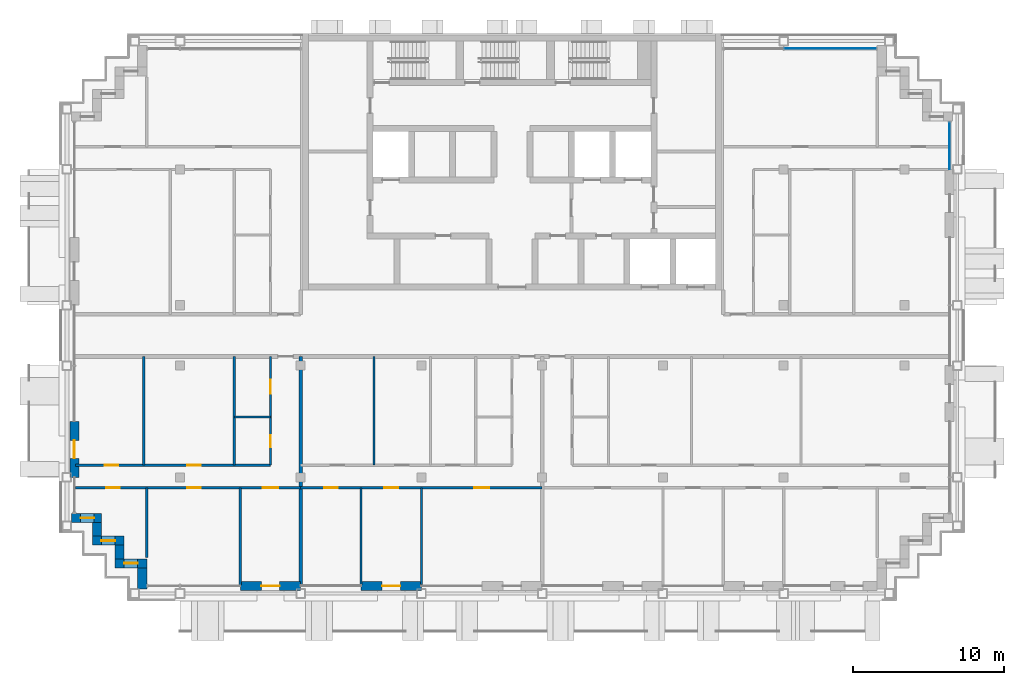
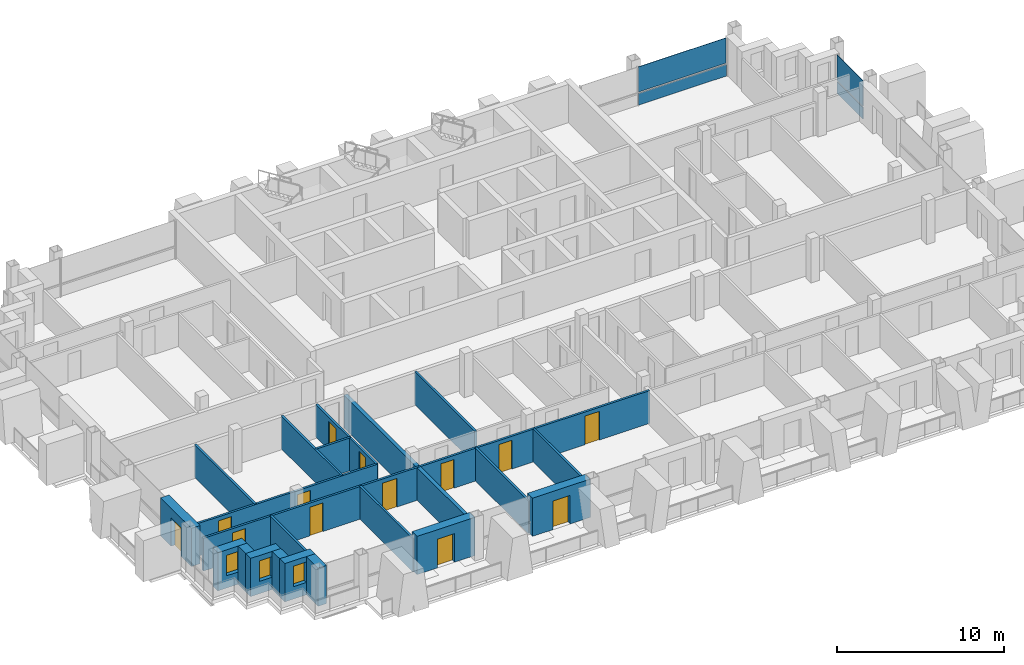
# One storey, part 7 of 15: 22 walls, 13 doors, 4 plates, 3 windows, 16 openings, 2 elements without a shape of their own.
"""IFC4 building model written with IfcOpenShell, lengths in metres."""

from ifc_helpers import new_model, si_unit, direction, frame, frame_2d, origin, origin_2d, place, context, subcontext, project, spatial, rectangle, extrude, material, layer, layer_set, type_object, element, fill, aggregate, save


model = new_model("IFC4")

# Units and contexts
model_context = context("Model", 3, precision=1e-05, world=origin(), true_north=direction((0.0, 1.0)))
body_context = subcontext(model_context, "Body", "Model", "MODEL_VIEW")
ifc_project = project(units=[si_unit("LENGTHUNIT", "METRE"), si_unit("AREAUNIT", "SQUARE_METRE"), si_unit("VOLUMEUNIT", "CUBIC_METRE"), si_unit("PLANEANGLEUNIT", "RADIAN"), si_unit("MASSUNIT", "GRAM", prefix="KILO")], contexts=[model_context])

# Site, building, storey
site_placement = place(None, origin())
site = spatial("IfcSite", under=ifc_project, at=site_placement, CompositionType="ELEMENT")
building_placement = place(site_placement, origin())
building = spatial("IfcBuilding", under=site, at=building_placement, Name="Vidyagriha Tower", CompositionType="ELEMENT")
storey_placement = place(building_placement, frame((0.0, 0.0, 236.39990234375)))
storey = spatial("IfcBuildingStorey", under=building, at=storey_placement, Name="L62", CompositionType="ELEMENT", Elevation=236.39990234375)

# Curtain wall, plate
ifc_material_1 = material(Name="Aluminium and glass curtain wall", Category="aluminium")
curtain_wall_type = type_object("IfcCurtainWallType", Name="Dwelling skin unitised curtain wall", PredefinedType="USERDEFINED", material=ifc_material_1)
curtain_wall_1_placement = place(storey_placement, origin())
curtain_wall_1 = element("IfcCurtainWall", 1, at=curtain_wall_1_placement, inside=storey, type_object=curtain_wall_type, Name="CW1 dwelling skin", ObjectType="UNITISED", PredefinedType="USERDEFINED")
ifc_material_2 = material(Name="Glass dark ceramic-fritted spandrel", Category="glass")
ifc_layer_1 = layer(ifc_material_2, 0.0400390625)
ifc_layer_set_1 = layer_set([ifc_layer_1], Name="Glass dark ceramic-fritted spandrel")
plate_type_1 = type_object("IfcPlateType", Name="Ceramic-fritted spandrel panel", PredefinedType="CURTAIN_PANEL", material=ifc_layer_set_1)
plate_1_placement = place(storey_placement, frame((21.08251953125, 19.0, 0.0), z_axis=(0.0, 0.0, 1.0), x_axis=(-1.0, 0.0, 0.0)))
plate_1 = element("IfcPlate", 2, at=plate_1_placement, type_object=plate_type_1, Name="CW1 panel 1.1", PredefinedType="CURTAIN_PANEL", context=body_context, shape_type="SweptSolid", body=[
    extrude(rectangle(XDim=6.094970703125, YDim=0.0400390625, at=origin_2d()), origin(), (0.0, 0.0, 1.0), 0.85009765625),
])

curtain_wall_2_placement = place(storey_placement, origin())
curtain_wall_2 = element("IfcCurtainWall", 3, at=curtain_wall_2_placement, inside=storey, type_object=curtain_wall_type, Name="CW1 dwelling skin", ObjectType="UNITISED", PredefinedType="USERDEFINED")
plate_2_placement = place(storey_placement, frame((29.0, 12.56494140625, 0.0), z_axis=(0.0, 0.0, 1.0), x_axis=(0.0, 1.0, 0.0)))
plate_2 = element("IfcPlate", 4, at=plate_2_placement, type_object=plate_type_1, Name="CW1 panel 1.1", PredefinedType="CURTAIN_PANEL", context=body_context, shape_type="SweptSolid", body=[
    extrude(rectangle(XDim=3.1298828125, YDim=0.0400390625, at=origin_2d()), origin(), (0.0, 0.0, 1.0), 0.85009765625),
])

# Plate
ifc_material_3 = material(Name="Glass dark ceramic-fritted", Category="glass")
ifc_layer_2 = layer(ifc_material_3, 0.028076171875)
ifc_layer_set_2 = layer_set([ifc_layer_2], Name="Glass dark ceramic-fritted")
plate_type_2 = type_object("IfcPlateType", Name="Dark ceramic-fritted vision glass panel", PredefinedType="CURTAIN_PANEL", material=ifc_layer_set_2)
plate_3_placement = place(storey_placement, frame((21.08251953125, 19.0, 0.949951171875), z_axis=(0.0, 0.0, 1.0), x_axis=(-1.0, 0.0, 0.0)))
plate_3 = element("IfcPlate", 5, at=plate_3_placement, type_object=plate_type_2, Name="CW1 panel 1.2", PredefinedType="CURTAIN_PANEL", context=body_context, shape_type="SweptSolid", body=[
    extrude(rectangle(XDim=6.094970703125, YDim=0.028076171875, at=origin_2d()), origin(), (0.0, 0.0, 1.0), 1.85009765625),
])

aggregate(curtain_wall_1, [plate_1, plate_3])

plate_4_placement = place(storey_placement, frame((29.0, 12.56494140625, 0.949951171875), z_axis=(0.0, 0.0, 1.0), x_axis=(0.0, 1.0, 0.0)))
plate_4 = element("IfcPlate", 6, at=plate_4_placement, type_object=plate_type_2, Name="CW1 panel 1.2", PredefinedType="CURTAIN_PANEL", context=body_context, shape_type="SweptSolid", body=[
    extrude(rectangle(XDim=3.1298828125, YDim=0.028076171875, at=origin_2d()), origin(), (0.0, 0.0, 1.0), 1.85009765625),
])

aggregate(curtain_wall_2, [plate_2, plate_4])

# Wall, opening, door
ifc_material_4 = material(Name="Precast concrete C40/50 with brick facing", Category="concrete")
ifc_layer_3 = layer(ifc_material_4, 0.60009765625)
ifc_layer_set_3 = layer_set([ifc_layer_3], Name="Precast concrete C40/50 with brick facing")
wall_type_1 = type_object("IfcWallType", Name="Brick-faced precast wall 600", PredefinedType="STANDARD", material=ifc_layer_set_3)
wall_1_placement = place(storey_placement, frame((-29.0, -5.699951171875, 0.0), z_axis=(0.0, 0.0, 1.0), x_axis=(0.0, -1.0, 0.0)))
wall_1 = element("IfcWall", 7, at=wall_1_placement, inside=storey, type_object=wall_type_1, Name="Brick door bay wall L62 R16.6", PredefinedType="STANDARD", context=body_context, shape_type="SweptSolid", body=[
    extrude(rectangle(XDim=3.699951171875, YDim=0.60009765625, at=frame_2d((1.85009765625, 0.0))), origin(), (0.0, 0.0, 1.0), 2.800048828125),
])
opening_1_placement = place(wall_1_placement, frame((1.25, 0.0, 0.0)))
opening_1 = element("IfcOpeningElement", 8, at=opening_1_placement, cuts=wall_1, Name="Opening D62-57", PredefinedType="OPENING", context=body_context, shape_type="SweptSolid", body=[
    extrude(rectangle(XDim=1.199951171875, YDim=2.10009765625, at=frame_2d((0.60009765625, 1.050048828125))), frame((0.0, 0.31005859375, 0.0), z_axis=(0.0, -1.0, 0.0), x_axis=(1.0, 0.0, 0.0)), (0.0, 0.0, 1.0), 0.6201171875),
])
ifc_material_5 = material(Name="Aluminium framed glazed sliding door", Category="aluminium")
door_type_1 = type_object("IfcDoorType", Name="Balcony sliding door 1200x2100", OperationType="NOTDEFINED", PredefinedType="DOOR", material=ifc_material_5)
door_1_placement = place(opening_1_placement, origin())
door_1 = element("IfcDoor", 9, at=door_1_placement, inside=storey, type_object=door_type_1, Name="Door D62-57", OperationType="SLIDING_TO_LEFT", OverallHeight=2.10009765625, OverallWidth=1.199951171875, PredefinedType="DOOR", context=body_context, shape_type="SweptSolid", body=[
    extrude(rectangle(XDim=1.199951171875, YDim=2.10009765625, at=frame_2d((0.60009765625, 1.050048828125))), frame((0.0, 0.02490234375, 0.0), z_axis=(0.0, -1.0, 0.0), x_axis=(1.0, 0.0, 0.0)), (0.0, 0.0, 1.0), 0.050048828125),
])
fill(opening_1, door_1)

# Wall, opening, window
wall_2_placement = place(storey_placement, frame((-29.199951171875, -12.10009765625, 0.0)))
wall_2 = element("IfcWall", 10, at=wall_2_placement, inside=storey, type_object=wall_type_1, Name="Stepped corner wall L62 R17", PredefinedType="STANDARD", context=body_context, shape_type="SweptSolid", body=[
    extrude(rectangle(XDim=2.0, YDim=0.60009765625, at=frame_2d((1.0, 0.0))), origin(), (0.0, 0.0, 1.0), 2.800048828125),
])
opening_2_placement = place(wall_2_placement, frame((0.610107421875, 0.0, 0.89990234375)))
opening_2 = element("IfcOpeningElement", 11, at=opening_2_placement, cuts=wall_2, Name="Opening WN1", PredefinedType="OPENING", context=body_context, shape_type="SweptSolid", body=[
    extrude(rectangle(XDim=0.89990234375, YDim=1.5, at=frame_2d((0.449951171875, 0.75))), frame((0.0, 0.31005859375, 0.0), z_axis=(0.0, -1.0, 0.0), x_axis=(1.0, 0.0, 0.0)), (0.0, 0.0, 1.0), 0.6201171875),
])
ifc_material_6 = material(Name="Aluminium and glass window", Category="aluminium")
window_type = type_object("IfcWindowType", Name="Reveal window 900x1500", PartitioningType="NOTDEFINED", PredefinedType="WINDOW", material=ifc_material_6)
window_1_placement = place(opening_2_placement, origin())
window_1 = element("IfcWindow", 12, at=window_1_placement, inside=storey, type_object=window_type, Name="Reveal window L62 R17", OverallHeight=1.5, OverallWidth=0.89990234375, PartitioningType="SINGLE_PANEL", PredefinedType="WINDOW", context=body_context, shape_type="SweptSolid", body=[
    extrude(rectangle(XDim=0.89990234375, YDim=1.5, at=frame_2d((0.449951171875, 0.75))), frame((0.0, 0.030029296875, 0.0), z_axis=(0.0, -1.0, 0.0), x_axis=(1.0, 0.0, 0.0)), (0.0, 0.0, 1.0), 0.06005859375),
])
fill(opening_2, window_1)

# Wall
wall_3_placement = place(storey_placement, frame((-27.5, -12.39990234375, 0.0), z_axis=(0.0, 0.0, 1.0), x_axis=(0.0, -1.0, 0.0)))
element("IfcWall", 13, at=wall_3_placement, inside=storey, type_object=wall_type_1, Name="Stepped corner wall L62 R18", PredefinedType="STANDARD", context=body_context, shape_type="SweptSolid", body=[
    extrude(rectangle(XDim=0.900146484375, YDim=0.60009765625, at=frame_2d((0.4501953125, 0.0))), origin(), (0.0, 0.0, 1.0), 2.800048828125),
])

# Wall, opening, window
wall_4_placement = place(storey_placement, frame((-27.800048828125, -13.60009765625, 0.0)))
wall_4 = element("IfcWall", 14, at=wall_4_placement, inside=storey, type_object=wall_type_1, Name="Stepped corner wall L62 R19", PredefinedType="STANDARD", context=body_context, shape_type="SweptSolid", body=[
    extrude(rectangle(XDim=2.10009765625, YDim=0.60009765625, at=frame_2d((1.050048828125, 0.0))), origin(), (0.0, 0.0, 1.0), 2.800048828125),
])
opening_3_placement = place(wall_4_placement, frame((0.60009765625, 0.0, 0.89990234375)))
opening_3 = element("IfcOpeningElement", 15, at=opening_3_placement, cuts=wall_4, Name="Opening WN1", PredefinedType="OPENING", context=body_context, shape_type="SweptSolid", body=[
    extrude(rectangle(XDim=0.89990234375, YDim=1.5, at=frame_2d((0.449951171875, 0.75))), frame((0.0, 0.31005859375, 0.0), z_axis=(0.0, -1.0, 0.0), x_axis=(1.0, 0.0, 0.0)), (0.0, 0.0, 1.0), 0.6201171875),
])
window_2_placement = place(opening_3_placement, origin())
window_2 = element("IfcWindow", 16, at=window_2_placement, inside=storey, type_object=window_type, Name="Reveal window L62 R19", OverallHeight=1.5, OverallWidth=0.89990234375, PartitioningType="SINGLE_PANEL", PredefinedType="WINDOW", context=body_context, shape_type="SweptSolid", body=[
    extrude(rectangle(XDim=0.89990234375, YDim=1.5, at=frame_2d((0.449951171875, 0.75))), frame((0.0, 0.030029296875, 0.0), z_axis=(0.0, -1.0, 0.0), x_axis=(1.0, 0.0, 0.0)), (0.0, 0.0, 1.0), 0.06005859375),
])
fill(opening_3, window_2)

# Wall
wall_5_placement = place(storey_placement, frame((-26.0, -13.89990234375, 0.0), z_axis=(0.0, 0.0, 1.0), x_axis=(0.0, -1.0, 0.0)))
element("IfcWall", 17, at=wall_5_placement, inside=storey, type_object=wall_type_1, Name="Stepped corner wall L62 R20", PredefinedType="STANDARD", context=body_context, shape_type="SweptSolid", body=[
    extrude(rectangle(XDim=0.900146484375, YDim=0.60009765625, at=frame_2d((0.4501953125, 0.0))), origin(), (0.0, 0.0, 1.0), 2.800048828125),
])

# Wall, opening, window
wall_6_placement = place(storey_placement, frame((-26.300048828125, -15.10009765625, 0.0)))
wall_6 = element("IfcWall", 18, at=wall_6_placement, inside=storey, type_object=wall_type_1, Name="Stepped corner wall L62 R21", PredefinedType="STANDARD", context=body_context, shape_type="SweptSolid", body=[
    extrude(rectangle(XDim=2.10009765625, YDim=0.60009765625, at=frame_2d((1.050048828125, 0.0))), origin(), (0.0, 0.0, 1.0), 2.800048828125),
])
opening_4_placement = place(wall_6_placement, frame((0.60009765625, 0.0, 0.89990234375)))
opening_4 = element("IfcOpeningElement", 19, at=opening_4_placement, cuts=wall_6, Name="Opening WN1", PredefinedType="OPENING", context=body_context, shape_type="SweptSolid", body=[
    extrude(rectangle(XDim=0.89990234375, YDim=1.5, at=frame_2d((0.449951171875, 0.75))), frame((0.0, 0.31005859375, 0.0), z_axis=(0.0, -1.0, 0.0), x_axis=(1.0, 0.0, 0.0)), (0.0, 0.0, 1.0), 0.6201171875),
])
window_3_placement = place(opening_4_placement, origin())
window_3 = element("IfcWindow", 20, at=window_3_placement, inside=storey, type_object=window_type, Name="Reveal window L62 R21", OverallHeight=1.5, OverallWidth=0.89990234375, PartitioningType="SINGLE_PANEL", PredefinedType="WINDOW", context=body_context, shape_type="SweptSolid", body=[
    extrude(rectangle(XDim=0.89990234375, YDim=1.5, at=frame_2d((0.449951171875, 0.75))), frame((0.0, 0.030029296875, 0.0), z_axis=(0.0, -1.0, 0.0), x_axis=(1.0, 0.0, 0.0)), (0.0, 0.0, 1.0), 0.06005859375),
])
fill(opening_4, window_3)

# Wall
wall_7_placement = place(storey_placement, frame((-24.5, -15.39990234375, 0.0), z_axis=(0.0, 0.0, 1.0), x_axis=(0.0, -1.0, 0.0)))
element("IfcWall", 21, at=wall_7_placement, inside=storey, type_object=wall_type_1, Name="Stepped corner wall L62 R22", PredefinedType="STANDARD", context=body_context, shape_type="SweptSolid", body=[
    extrude(rectangle(XDim=1.400146484375, YDim=0.60009765625, at=frame_2d((0.7001953125, 0.0))), origin(), (0.0, 0.0, 1.0), 2.800048828125),
])

# Wall, opening, door
wall_8_placement = place(storey_placement, frame((-18.0, -16.60009765625, 0.0)))
wall_8 = element("IfcWall", 22, at=wall_8_placement, inside=storey, type_object=wall_type_1, Name="Brick door bay wall L62 R23.3", PredefinedType="STANDARD", context=body_context, shape_type="SweptSolid", body=[
    extrude(rectangle(XDim=4.0, YDim=0.60009765625, at=frame_2d((2.0, 0.0))), origin(), (0.0, 0.0, 1.0), 2.800048828125),
])
opening_5_placement = place(wall_8_placement, frame((1.39990234375, 0.0, 0.0)))
opening_5 = element("IfcOpeningElement", 23, at=opening_5_placement, cuts=wall_8, Name="Opening D62-58", PredefinedType="OPENING", context=body_context, shape_type="SweptSolid", body=[
    extrude(rectangle(XDim=1.199951171875, YDim=2.10009765625, at=frame_2d((0.60009765625, 1.050048828125))), frame((0.0, 0.31005859375, 0.0), z_axis=(0.0, -1.0, 0.0), x_axis=(1.0, 0.0, 0.0)), (0.0, 0.0, 1.0), 0.6201171875),
])
door_2_placement = place(opening_5_placement, origin())
door_2 = element("IfcDoor", 24, at=door_2_placement, inside=storey, type_object=door_type_1, Name="Door D62-58", OperationType="SLIDING_TO_LEFT", OverallHeight=2.10009765625, OverallWidth=1.199951171875, PredefinedType="DOOR", context=body_context, shape_type="SweptSolid", body=[
    extrude(rectangle(XDim=1.199951171875, YDim=2.10009765625, at=frame_2d((0.60009765625, 1.050048828125))), frame((0.0, 0.02490234375, 0.0), z_axis=(0.0, -1.0, 0.0), x_axis=(1.0, 0.0, 0.0)), (0.0, 0.0, 1.0), 0.050048828125),
])
fill(opening_5, door_2)

wall_9_placement = place(storey_placement, frame((-10.0, -16.60009765625, 0.0)))
wall_9 = element("IfcWall", 25, at=wall_9_placement, inside=storey, type_object=wall_type_1, Name="Brick door bay wall L62 R23.5", PredefinedType="STANDARD", context=body_context, shape_type="SweptSolid", body=[
    extrude(rectangle(XDim=4.0, YDim=0.60009765625, at=frame_2d((2.0, 0.0))), origin(), (0.0, 0.0, 1.0), 2.800048828125),
])
opening_6_placement = place(wall_9_placement, frame((1.39990234375, 0.0, 0.0)))
opening_6 = element("IfcOpeningElement", 26, at=opening_6_placement, cuts=wall_9, Name="Opening D62-59", PredefinedType="OPENING", context=body_context, shape_type="SweptSolid", body=[
    extrude(rectangle(XDim=1.199951171875, YDim=2.10009765625, at=frame_2d((0.60009765625, 1.050048828125))), frame((0.0, 0.31005859375, 0.0), z_axis=(0.0, -1.0, 0.0), x_axis=(1.0, 0.0, 0.0)), (0.0, 0.0, 1.0), 0.6201171875),
])
door_3_placement = place(opening_6_placement, origin())
door_3 = element("IfcDoor", 27, at=door_3_placement, inside=storey, type_object=door_type_1, Name="Door D62-59", OperationType="SLIDING_TO_LEFT", OverallHeight=2.10009765625, OverallWidth=1.199951171875, PredefinedType="DOOR", context=body_context, shape_type="SweptSolid", body=[
    extrude(rectangle(XDim=1.199951171875, YDim=2.10009765625, at=frame_2d((0.60009765625, 1.050048828125))), frame((0.0, 0.02490234375, 0.0), z_axis=(0.0, -1.0, 0.0), x_axis=(1.0, 0.0, 0.0)), (0.0, 0.0, 1.0), 0.050048828125),
])
fill(opening_6, door_3)

# Walls
ifc_material_7 = material(Name="Fired clay brick masonry", Category="masonry")
ifc_layer_4 = layer(ifc_material_7, 0.25)
ifc_layer_set_4 = layer_set([ifc_layer_4], Name="Fired clay brick masonry")
wall_type_2 = type_object("IfcWallType", Name="Fired clay brick demising wall 250", PredefinedType="PARTITIONING", material=ifc_layer_set_4)
wall_10_placement = place(storey_placement, frame((-14.0, -1.39990234375, 0.0), z_axis=(0.0, 0.0, 1.0), x_axis=(0.0, -1.0, 0.0)))
element("IfcWall", 28, at=wall_10_placement, inside=storey, type_object=wall_type_2, Name="Wall all-L62-w035", PredefinedType="PARTITIONING", context=body_context, shape_type="SweptSolid", body=[
    extrude(rectangle(XDim=15.110107421875, YDim=0.25, at=frame_2d((7.55517578125, 0.0))), origin(), (0.0, 0.0, 1.0), 2.400146484375),
])
ifc_material_8 = material(Name="Gypsum board partition")
ifc_layer_5 = layer(ifc_material_8, 0.14990234375)
ifc_layer_set_5 = layer_set([ifc_layer_5], Name="Gypsum board partition")
wall_type_3 = type_object("IfcWallType", Name="Gypsum board partition 150", PredefinedType="PARTITIONING", material=ifc_layer_set_5)
wall_11_placement = place(storey_placement, frame((-16.0, -5.39990234375, 0.0), z_axis=(0.0, 0.0, 1.0), x_axis=(-1.0, 0.0, 0.0)))
element("IfcWall", 29, at=wall_11_placement, inside=storey, type_object=wall_type_3, Name="Wall all-L62-w004", PredefinedType="PARTITIONING", context=body_context, shape_type="SweptSolid", body=[
    extrude(rectangle(XDim=2.39990234375, YDim=0.14990234375, at=frame_2d((1.199951171875, 0.0))), origin(), (0.0, 0.0, 1.0), 2.400146484375),
])
for number, where, z_axis, x_axis, name in (
    (30, (-18.39990234375, -8.60009765625, 0.0), (0.0, 0.0, 1.0), (0.0, 1.0, 0.0), "Wall all-L62-w005"),
    (31, (-24.39990234375, -8.60009765625, 0.0), (0.0, 0.0, 1.0), (0.0, 1.0, 0.0), "Wall all-L62-w006"),
):
    element("IfcWall", number, at=place(storey_placement, frame(where, z_axis=z_axis, x_axis=x_axis)), inside=storey, type_object=wall_type_3, Name=name, PredefinedType="PARTITIONING", context=body_context, shape_type="SweptSolid", body=[
        extrude(rectangle(XDim=7.2001953125, YDim=0.14990234375, at=frame_2d((3.60009765625, 0.0))), origin(), (0.0, 0.0, 1.0), 2.400146484375),
    ])

# Wall, openings, doors
wall_12_placement = place(storey_placement, frame((-28.909912109375, -8.60009765625, 0.0)))
wall_12 = element("IfcWall", 32, at=wall_12_placement, inside=storey, type_object=wall_type_3, Name="Wall all-L62-w007", PredefinedType="PARTITIONING", context=body_context, shape_type="SweptSolid", body=[
    extrude(rectangle(XDim=12.909912109375, YDim=0.14990234375, at=frame_2d((6.455078125, 0.0))), origin(), (0.0, 0.0, 1.0), 2.400146484375),
])
opening_7_placement = place(wall_12_placement, frame((7.385986328125, 0.0, 0.0)))
opening_7 = element("IfcOpeningElement", 33, at=opening_7_placement, cuts=wall_12, Name="Opening D62-16", PredefinedType="OPENING", context=body_context, shape_type="SweptSolid", body=[
    extrude(rectangle(XDim=0.89990234375, YDim=2.10009765625, at=frame_2d((0.449951171875, 1.050048828125))), frame((0.0, 0.0849609375, 0.0), z_axis=(0.0, -1.0, 0.0), x_axis=(1.0, 0.0, 0.0)), (0.0, 0.0, 1.0), 0.169921875),
])
opening_8_placement = place(wall_12_placement, frame((1.909912109375, 0.0, 0.0)))
opening_8 = element("IfcOpeningElement", 34, at=opening_8_placement, cuts=wall_12, Name="Opening D62-17", PredefinedType="OPENING", context=body_context, shape_type="SweptSolid", body=[
    extrude(rectangle(XDim=0.89990234375, YDim=2.10009765625, at=frame_2d((0.449951171875, 1.050048828125))), frame((0.0, 0.0849609375, 0.0), z_axis=(0.0, -1.0, 0.0), x_axis=(1.0, 0.0, 0.0)), (0.0, 0.0, 1.0), 0.169921875),
])
ifc_material_9 = material(Name="Timber door leaf", Category="wood")
door_type_2 = type_object("IfcDoorType", Name="Room door 900x2100", OperationType="NOTDEFINED", PredefinedType="DOOR", material=ifc_material_9)
door_4_placement = place(opening_7_placement, origin())
door_4 = element("IfcDoor", 35, at=door_4_placement, inside=storey, type_object=door_type_2, Name="Door D62-16", OperationType="SINGLE_SWING_RIGHT", OverallHeight=2.10009765625, OverallWidth=0.89990234375, PredefinedType="DOOR", context=body_context, shape_type="SweptSolid", body=[
    extrude(rectangle(XDim=0.89990234375, YDim=2.10009765625, at=frame_2d((0.449951171875, 1.050048828125))), frame((0.0, 0.02490234375, 0.0), z_axis=(0.0, -1.0, 0.0), x_axis=(1.0, 0.0, 0.0)), (0.0, 0.0, 1.0), 0.050048828125),
])
fill(opening_7, door_4)
door_5_placement = place(opening_8_placement, origin())
door_5 = element("IfcDoor", 36, at=door_5_placement, inside=storey, type_object=door_type_2, Name="Door D62-17", OperationType="SINGLE_SWING_LEFT", OverallHeight=2.10009765625, OverallWidth=0.89990234375, PredefinedType="DOOR", context=body_context, shape_type="SweptSolid", body=[
    extrude(rectangle(XDim=0.89990234375, YDim=2.10009765625, at=frame_2d((0.449951171875, 1.050048828125))), frame((0.0, 0.02490234375, 0.0), z_axis=(0.0, -1.0, 0.0), x_axis=(1.0, 0.0, 0.0)), (0.0, 0.0, 1.0), 0.050048828125),
])
fill(opening_8, door_5)

wall_13_placement = place(storey_placement, frame((-14.0, -10.10009765625, 0.0), z_axis=(0.0, 0.0, 1.0), x_axis=(-1.0, 0.0, 0.0)))
wall_13 = element("IfcWall", 37, at=wall_13_placement, inside=storey, type_object=wall_type_3, Name="Wall all-L62-w010", PredefinedType="PARTITIONING", context=body_context, shape_type="SweptSolid", body=[
    extrude(rectangle(XDim=14.919921875, YDim=0.14990234375, at=frame_2d((7.4599609375, 0.0))), origin(), (0.0, 0.0, 1.0), 2.400146484375),
])
opening_9_placement = place(wall_13_placement, frame((12.0, 0.0, 0.0)))
opening_9 = element("IfcOpeningElement", 38, at=opening_9_placement, cuts=wall_13, Name="Opening D62-18", PredefinedType="OPENING", context=body_context, shape_type="SweptSolid", body=[
    extrude(rectangle(XDim=0.89990234375, YDim=2.10009765625, at=frame_2d((0.449951171875, 1.050048828125))), frame((0.0, 0.0849609375, 0.0), z_axis=(0.0, -1.0, 0.0), x_axis=(1.0, 0.0, 0.0)), (0.0, 0.0, 1.0), 0.169921875),
])
opening_10_placement = place(wall_13_placement, frame((6.6240234375, 0.0, 0.0)))
opening_10 = element("IfcOpeningElement", 39, at=opening_10_placement, cuts=wall_13, Name="Opening D62-19", PredefinedType="OPENING", context=body_context, shape_type="SweptSolid", body=[
    extrude(rectangle(XDim=0.89990234375, YDim=2.10009765625, at=frame_2d((0.449951171875, 1.050048828125))), frame((0.0, 0.0849609375, 0.0), z_axis=(0.0, -1.0, 0.0), x_axis=(1.0, 0.0, 0.0)), (0.0, 0.0, 1.0), 0.169921875),
])
opening_11_placement = place(wall_13_placement, frame((1.5, 0.0, 0.0)))
opening_11 = element("IfcOpeningElement", 40, at=opening_11_placement, cuts=wall_13, Name="Opening D62-20", PredefinedType="OPENING", context=body_context, shape_type="SweptSolid", body=[
    extrude(rectangle(XDim=1.0, YDim=2.10009765625, at=frame_2d((0.5, 1.050048828125))), frame((0.0, 0.0849609375, 0.0), z_axis=(0.0, -1.0, 0.0), x_axis=(1.0, 0.0, 0.0)), (0.0, 0.0, 1.0), 0.169921875),
])
ifc_material_10 = material(Name="Timber door leaf", Category="wood")
door_type_3 = type_object("IfcDoorType", Name="Room door 1000x2100", OperationType="NOTDEFINED", PredefinedType="DOOR", material=ifc_material_10)
door_6_placement = place(opening_11_placement, origin())
door_6 = element("IfcDoor", 41, at=door_6_placement, inside=storey, type_object=door_type_3, Name="Door D62-20", OperationType="SINGLE_SWING_RIGHT", OverallHeight=2.10009765625, OverallWidth=1.0, PredefinedType="DOOR", context=body_context, shape_type="SweptSolid", body=[
    extrude(rectangle(XDim=1.0, YDim=2.10009765625, at=frame_2d((0.5, 1.050048828125))), frame((0.0, 0.02490234375, 0.0), z_axis=(0.0, -1.0, 0.0), x_axis=(1.0, 0.0, 0.0)), (0.0, 0.0, 1.0), 0.050048828125),
])
fill(opening_11, door_6)
door_7_placement = place(opening_9_placement, origin())
door_7 = element("IfcDoor", 42, at=door_7_placement, inside=storey, type_object=door_type_2, Name="Door D62-18", OperationType="SINGLE_SWING_RIGHT", OverallHeight=2.10009765625, OverallWidth=0.89990234375, PredefinedType="DOOR", context=body_context, shape_type="SweptSolid", body=[
    extrude(rectangle(XDim=0.89990234375, YDim=2.10009765625, at=frame_2d((0.449951171875, 1.050048828125))), frame((0.0, 0.02490234375, 0.0), z_axis=(0.0, -1.0, 0.0), x_axis=(1.0, 0.0, 0.0)), (0.0, 0.0, 1.0), 0.050048828125),
])
fill(opening_9, door_7)
door_8_placement = place(opening_10_placement, origin())
door_8 = element("IfcDoor", 43, at=door_8_placement, inside=storey, type_object=door_type_2, Name="Door D62-19", OperationType="SINGLE_SWING_LEFT", OverallHeight=2.10009765625, OverallWidth=0.89990234375, PredefinedType="DOOR", context=body_context, shape_type="SweptSolid", body=[
    extrude(rectangle(XDim=0.89990234375, YDim=2.10009765625, at=frame_2d((0.449951171875, 1.050048828125))), frame((0.0, 0.02490234375, 0.0), z_axis=(0.0, -1.0, 0.0), x_axis=(1.0, 0.0, 0.0)), (0.0, 0.0, 1.0), 0.050048828125),
])
fill(opening_10, door_8)

# Walls
wall_14_placement = place(storey_placement, frame((-24.199951171875, -10.10009765625, 0.0), z_axis=(0.0, 0.0, 1.0), x_axis=(0.0, -1.0, 0.0)))
element("IfcWall", 44, at=wall_14_placement, inside=storey, type_object=wall_type_3, Name="Wall all-L62-w014", PredefinedType="PARTITIONING", context=body_context, shape_type="SweptSolid", body=[
    extrude(rectangle(XDim=4.619873046875, YDim=0.14990234375, at=frame_2d((2.31005859375, 0.0))), origin(), (0.0, 0.0, 1.0), 2.400146484375),
])
wall_15_placement = place(storey_placement, frame((-18.0, -10.10009765625, 0.0), z_axis=(0.0, 0.0, 1.0), x_axis=(0.0, -1.0, 0.0)))
element("IfcWall", 45, at=wall_15_placement, inside=storey, type_object=wall_type_3, Name="Wall all-L62-w015", PredefinedType="PARTITIONING", context=body_context, shape_type="SweptSolid", body=[
    extrude(rectangle(XDim=6.4208984375, YDim=0.14990234375, at=frame_2d((3.21044921875, 0.0))), origin(), (0.0, 0.0, 1.0), 2.400146484375),
])
wall_16_placement = place(storey_placement, frame((-9.14990234375, -8.60009765625, 0.0), z_axis=(0.0, 0.0, 1.0), x_axis=(0.0, 1.0, 0.0)))
element("IfcWall", 46, at=wall_16_placement, inside=storey, type_object=wall_type_3, Name="Wall all-L62-w023", PredefinedType="PARTITIONING", context=body_context, shape_type="SweptSolid", body=[
    extrude(rectangle(XDim=7.2001953125, YDim=0.14990234375, at=frame_2d((3.60009765625, 0.0))), origin(), (0.0, 0.0, 1.0), 2.400146484375),
])

# Wall, openings, doors
wall_17_placement = place(storey_placement, frame((2.0, -10.10009765625, 0.0), z_axis=(0.0, 0.0, 1.0), x_axis=(-1.0, 0.0, 0.0)))
wall_17 = element("IfcWall", 47, at=wall_17_placement, inside=storey, type_object=wall_type_3, Name="Wall all-L62-w028", PredefinedType="PARTITIONING", context=body_context, shape_type="SweptSolid", body=[
    extrude(rectangle(XDim=16.0, YDim=0.14990234375, at=frame_2d((8.0, 0.0))), origin(), (0.0, 0.0, 1.0), 2.400146484375),
])
opening_12_placement = place(wall_17_placement, frame((13.550048828125, 0.0, 0.0)))
opening_12 = element("IfcOpeningElement", 48, at=opening_12_placement, cuts=wall_17, Name="Opening D62-27", PredefinedType="OPENING", context=body_context, shape_type="SweptSolid", body=[
    extrude(rectangle(XDim=0.89990234375, YDim=2.10009765625, at=frame_2d((0.449951171875, 1.050048828125))), frame((0.0, 0.0849609375, 0.0), z_axis=(0.0, -1.0, 0.0), x_axis=(1.0, 0.0, 0.0)), (0.0, 0.0, 1.0), 0.169921875),
])
opening_13_placement = place(wall_17_placement, frame((9.550048828125, 0.0, 0.0)))
opening_13 = element("IfcOpeningElement", 49, at=opening_13_placement, cuts=wall_17, Name="Opening D62-28", PredefinedType="OPENING", context=body_context, shape_type="SweptSolid", body=[
    extrude(rectangle(XDim=0.89990234375, YDim=2.10009765625, at=frame_2d((0.449951171875, 1.050048828125))), frame((0.0, 0.0849609375, 0.0), z_axis=(0.0, -1.0, 0.0), x_axis=(1.0, 0.0, 0.0)), (0.0, 0.0, 1.0), 0.169921875),
])
opening_14_placement = place(wall_17_placement, frame((3.5, 0.0, 0.0)))
opening_14 = element("IfcOpeningElement", 50, at=opening_14_placement, cuts=wall_17, Name="Opening D62-29", PredefinedType="OPENING", context=body_context, shape_type="SweptSolid", body=[
    extrude(rectangle(XDim=1.0, YDim=2.10009765625, at=frame_2d((0.5, 1.050048828125))), frame((0.0, 0.0849609375, 0.0), z_axis=(0.0, -1.0, 0.0), x_axis=(1.0, 0.0, 0.0)), (0.0, 0.0, 1.0), 0.169921875),
])
door_9_placement = place(opening_14_placement, origin())
door_9 = element("IfcDoor", 51, at=door_9_placement, inside=storey, type_object=door_type_3, Name="Door D62-29", OperationType="SINGLE_SWING_RIGHT", OverallHeight=2.10009765625, OverallWidth=1.0, PredefinedType="DOOR", context=body_context, shape_type="SweptSolid", body=[
    extrude(rectangle(XDim=1.0, YDim=2.10009765625, at=frame_2d((0.5, 1.050048828125))), frame((0.0, 0.02490234375, 0.0), z_axis=(0.0, -1.0, 0.0), x_axis=(1.0, 0.0, 0.0)), (0.0, 0.0, 1.0), 0.050048828125),
])
fill(opening_14, door_9)
door_10_placement = place(opening_12_placement, origin())
door_10 = element("IfcDoor", 52, at=door_10_placement, inside=storey, type_object=door_type_2, Name="Door D62-27", OperationType="SINGLE_SWING_RIGHT", OverallHeight=2.10009765625, OverallWidth=0.89990234375, PredefinedType="DOOR", context=body_context, shape_type="SweptSolid", body=[
    extrude(rectangle(XDim=0.89990234375, YDim=2.10009765625, at=frame_2d((0.449951171875, 1.050048828125))), frame((0.0, 0.02490234375, 0.0), z_axis=(0.0, -1.0, 0.0), x_axis=(1.0, 0.0, 0.0)), (0.0, 0.0, 1.0), 0.050048828125),
])
fill(opening_12, door_10)
door_11_placement = place(opening_13_placement, origin())
door_11 = element("IfcDoor", 53, at=door_11_placement, inside=storey, type_object=door_type_2, Name="Door D62-28", OperationType="SINGLE_SWING_RIGHT", OverallHeight=2.10009765625, OverallWidth=0.89990234375, PredefinedType="DOOR", context=body_context, shape_type="SweptSolid", body=[
    extrude(rectangle(XDim=0.89990234375, YDim=2.10009765625, at=frame_2d((0.449951171875, 1.050048828125))), frame((0.0, 0.02490234375, 0.0), z_axis=(0.0, -1.0, 0.0), x_axis=(1.0, 0.0, 0.0)), (0.0, 0.0, 1.0), 0.050048828125),
])
fill(opening_13, door_11)

# Walls
wall_18_placement = place(storey_placement, frame((-10.0, -10.10009765625, 0.0), z_axis=(0.0, 0.0, 1.0), x_axis=(0.0, -1.0, 0.0)))
element("IfcWall", 54, at=wall_18_placement, inside=storey, type_object=wall_type_3, Name="Wall all-L62-w032", PredefinedType="PARTITIONING", context=body_context, shape_type="SweptSolid", body=[
    extrude(rectangle(XDim=6.4208984375, YDim=0.14990234375, at=frame_2d((3.21044921875, 0.0))), origin(), (0.0, 0.0, 1.0), 2.400146484375),
])
wall_19_placement = place(storey_placement, frame((-6.0, -10.10009765625, 0.0), z_axis=(0.0, 0.0, 1.0), x_axis=(0.0, -1.0, 0.0)))
element("IfcWall", 55, at=wall_19_placement, inside=storey, type_object=wall_type_3, Name="Wall all-L62-w033", PredefinedType="PARTITIONING", context=body_context, shape_type="SweptSolid", body=[
    extrude(rectangle(XDim=6.409912109375, YDim=0.14990234375, at=frame_2d((3.205078125, 0.0))), origin(), (0.0, 0.0, 1.0), 2.400146484375),
])

# Wall, openings, doors
ifc_material_11 = material(Name="Moisture resistant gypsum board partition")
ifc_layer_6 = layer(ifc_material_11, 0.14990234375)
ifc_layer_set_6 = layer_set([ifc_layer_6], Name="Moisture resistant gypsum board partition")
wall_type_4 = type_object("IfcWallType", Name="Gypsum board wet-area partition 150", PredefinedType="PARTITIONING", material=ifc_layer_set_6)
wall_20_placement = place(storey_placement, frame((-16.0, -8.60009765625, 0.0), z_axis=(0.0, 0.0, 1.0), x_axis=(0.0, 1.0, 0.0)))
wall_20 = element("IfcWall", 56, at=wall_20_placement, inside=storey, type_object=wall_type_4, Name="Wall all-L62-w001", PredefinedType="PARTITIONING", context=body_context, shape_type="SweptSolid", body=[
    extrude(rectangle(XDim=7.2001953125, YDim=0.14990234375, at=frame_2d((3.60009765625, 0.0))), origin(), (0.0, 0.0, 1.0), 2.400146484375),
])
opening_15_placement = place(wall_20_placement, frame((4.75, 0.0, 0.0)))
opening_15 = element("IfcOpeningElement", 57, at=opening_15_placement, cuts=wall_20, Name="Opening D62-14", PredefinedType="OPENING", context=body_context, shape_type="SweptSolid", body=[
    extrude(rectangle(XDim=0.89990234375, YDim=2.10009765625, at=frame_2d((0.449951171875, 1.050048828125))), frame((0.0, 0.0849609375, 0.0), z_axis=(0.0, -1.0, 0.0), x_axis=(1.0, 0.0, 0.0)), (0.0, 0.0, 1.0), 0.169921875),
])
opening_16_placement = place(wall_20_placement, frame((1.199951171875, 0.0, 0.0)))
opening_16 = element("IfcOpeningElement", 58, at=opening_16_placement, cuts=wall_20, Name="Opening D62-15", PredefinedType="OPENING", context=body_context, shape_type="SweptSolid", body=[
    extrude(rectangle(XDim=0.800048828125, YDim=2.10009765625, at=frame_2d((0.39990234375, 1.050048828125))), frame((0.0, 0.0849609375, 0.0), z_axis=(0.0, -1.0, 0.0), x_axis=(1.0, 0.0, 0.0)), (0.0, 0.0, 1.0), 0.169921875),
])
ifc_material_12 = material(Name="Timber door leaf", Category="wood")
door_type_4 = type_object("IfcDoorType", Name="Bathroom door 800x2100", OperationType="NOTDEFINED", PredefinedType="DOOR", material=ifc_material_12)
door_12_placement = place(opening_16_placement, origin())
door_12 = element("IfcDoor", 59, at=door_12_placement, inside=storey, type_object=door_type_4, Name="Door D62-15", OperationType="SINGLE_SWING_RIGHT", OverallHeight=2.10009765625, OverallWidth=0.800048828125, PredefinedType="DOOR", context=body_context, shape_type="SweptSolid", body=[
    extrude(rectangle(XDim=0.800048828125, YDim=2.10009765625, at=frame_2d((0.39990234375, 1.050048828125))), frame((0.0, 0.02490234375, 0.0), z_axis=(0.0, -1.0, 0.0), x_axis=(1.0, 0.0, 0.0)), (0.0, 0.0, 1.0), 0.050048828125),
])
fill(opening_16, door_12)
ifc_material_13 = material(Name="Timber door leaf", Category="wood")
door_type_5 = type_object("IfcDoorType", Name="Kitchen door 900x2100", OperationType="NOTDEFINED", PredefinedType="DOOR", material=ifc_material_13)
door_13_placement = place(opening_15_placement, origin())
door_13 = element("IfcDoor", 60, at=door_13_placement, inside=storey, type_object=door_type_5, Name="Door D62-14", OperationType="SINGLE_SWING_LEFT", OverallHeight=2.10009765625, OverallWidth=0.89990234375, PredefinedType="DOOR", context=body_context, shape_type="SweptSolid", body=[
    extrude(rectangle(XDim=0.89990234375, YDim=2.10009765625, at=frame_2d((0.449951171875, 1.050048828125))), frame((0.0, 0.02490234375, 0.0), z_axis=(0.0, -1.0, 0.0), x_axis=(1.0, 0.0, 0.0)), (0.0, 0.0, 1.0), 0.050048828125),
])
fill(opening_15, door_13)

save(model, "model.ifc")
